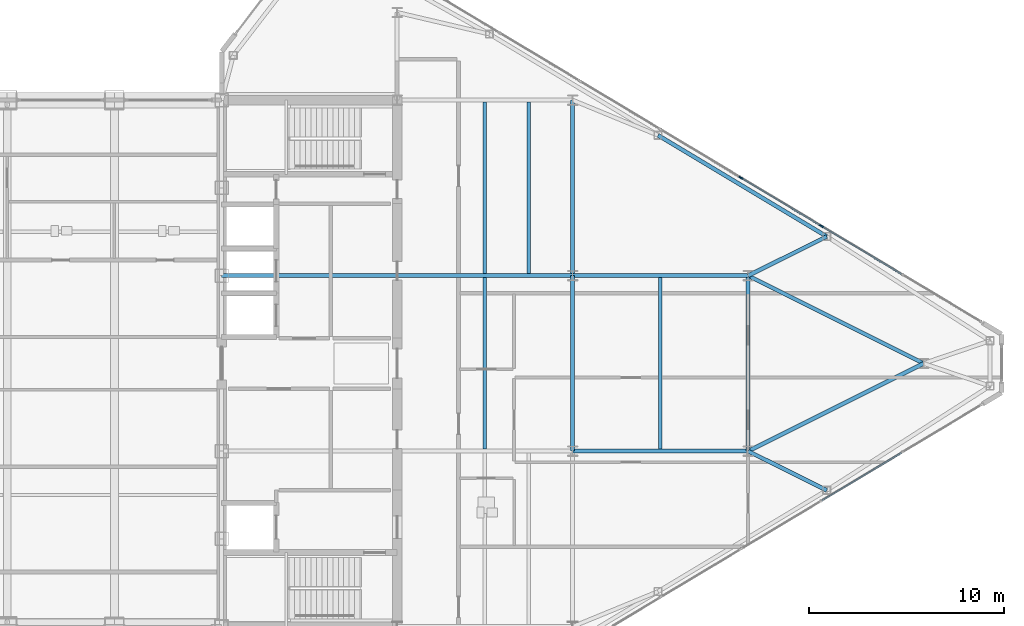
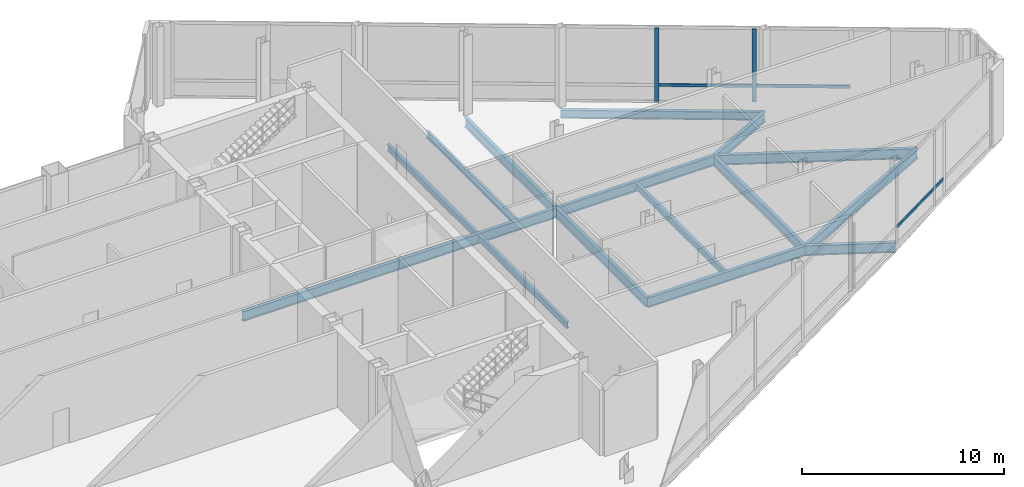
# One storey, part 15 of 30: 16 beams, 5 members, 2 elements without a shape of their own.
"""IFC4 building model written with IfcOpenShell, lengths in metres."""

from ifc_helpers import new_model, si_unit, direction, frame, origin, origin_2d, place, context, subcontext, project, spatial, rectangle, i_section, extrude, source, transform, mapped, material, layer, layer_set, material_profile, profile_set, type_object, type_shapes, element, aggregate, save


model = new_model("IFC4")

# Units and contexts
model_context = context("Model", 3, precision=1e-05, world=origin(), true_north=direction((0.0, 1.0)))
body_context = subcontext(model_context, "Body", "Model", "MODEL_VIEW")
ifc_project = project(units=[si_unit("LENGTHUNIT", "METRE"), si_unit("AREAUNIT", "SQUARE_METRE"), si_unit("VOLUMEUNIT", "CUBIC_METRE"), si_unit("PLANEANGLEUNIT", "RADIAN"), si_unit("MASSUNIT", "GRAM", prefix="KILO")], contexts=[model_context])

# Site, building, storey
site_placement = place(None, origin())
site = spatial("IfcSite", under=ifc_project, at=site_placement, CompositionType="ELEMENT")
building_placement = place(site_placement, origin())
building = spatial("IfcBuilding", under=site, at=building_placement, Name="Seokmaru Belvedere", CompositionType="ELEMENT")
storey_placement = place(building_placement, frame((0.0, 0.0, 234.60009765625)))
storey = spatial("IfcBuildingStorey", under=building, at=storey_placement, Name="L62", CompositionType="ELEMENT", Elevation=234.60009765625)

# Beams
ifc_material_1 = material(Name="Steel SM355 (355 MPa)", Category="steel")
ifc_material_profile_1 = material_profile(ifc_material_1, i_section(OverallWidth=0.199951171875, OverallDepth=0.60009765625, WebThickness=0.010986328125, FlangeThickness=0.01708984375, at=origin_2d()), Name="H-600x200x11x17")
ifc_profile_set_1 = profile_set([ifc_material_profile_1], Name="Steel SM355 (355 MPa)")
beam_type_1 = type_object("IfcBeamType", Name="Primary Floor Girder H-600", PredefinedType="BEAM", material=ifc_profile_set_1)
shared_shape_1 = source(origin(), body_context, "Body", "SweptSolid", [
    extrude(i_section(OverallWidth=0.199951171875, OverallDepth=0.60009765625, WebThickness=0.010986328125, FlangeThickness=0.01708984375, at=origin_2d()), origin(), (0.0, 0.0, 1.0), 9.0),
])
for number, where, z_axis, x_axis, name in (
    (1, (45.5, -4.5, -0.56005859375), (0.0, 1.0, 0.0), (-1.0, 0.0, 0.0), "L62 E Interior Grid Girder 2"),
    (2, (45.5, 4.5, -0.56005859375), (0.0, 1.0, 0.0), (-1.0, 0.0, 0.0), "L62 E Interior Grid Girder 3"),
    (3, (27.5, 4.5, -0.56005859375), (1.0, 0.0, 0.0), (0.0, 1.0, 0.0), "L62 E Core Tie Girder 3"),
    (4, (36.5, 4.5, -0.56005859375), (1.0, 0.0, 0.0), (0.0, 1.0, 0.0), "L62 E Wing Primary Girder 3"),
    (5, (45.5, -4.5, -0.56005859375), (1.0, 0.0, 0.0), (0.0, 1.0, 0.0), "L62 E Outer Wing Girder 1"),
    (6, (45.5, 4.5, -0.56005859375), (1.0, 0.0, 0.0), (0.0, 1.0, 0.0), "L62 E Outer Wing Girder 2"),
    (7, (54.5, -4.5, -0.56005859375), (0.0, 1.0, 0.0), (-1.0, 0.0, 0.0), "L62 E Apex Frame Girder"),
):
    element("IfcBeam", number, at=place(storey_placement, frame(where, z_axis=z_axis, x_axis=x_axis)), inside=storey, type_object=beam_type_1, Name=name, PredefinedType="BEAM", context=body_context, shape_type="MappedRepresentation", body=[
        mapped(shared_shape_1, transform((0.0, 0.0, 0.0), scale=1.0)),
    ])
shared_shape_2 = source(origin(), body_context, "Body", "SweptSolid", [
    extrude(i_section(OverallWidth=0.199951171875, OverallDepth=0.60009765625, WebThickness=0.010986328125, FlangeThickness=0.01708984375, at=origin_2d()), origin(), (0.0, 0.0, 1.0), 10.062255859375),
])
for number, where, z_axis, x_axis, name in (
    (8, (54.5, -4.5, -0.56005859375), (0.894427191, 0.4472135955, 0.0), (-0.4472135955, 0.894427191, 0.0), "L62 E Apex Converging Girder 1"),
    (9, (54.5, 4.5, -0.56005859375), (0.894427191, -0.4472135955, 0.0), (0.4472135955, 0.894427191, 0.0), "L62 E Apex Converging Girder 2"),
):
    element("IfcBeam", number, at=place(storey_placement, frame(where, z_axis=z_axis, x_axis=x_axis)), inside=storey, type_object=beam_type_1, Name=name, PredefinedType="BEAM", context=body_context, shape_type="MappedRepresentation", body=[
        mapped(shared_shape_2, transform((0.0, 0.0, 0.0), scale=1.0)),
    ])
ifc_material_profile_2 = material_profile(ifc_material_1, i_section(OverallWidth=0.18505859375, OverallDepth=0.389892578125, WebThickness=0.008056640625, FlangeThickness=0.011962890625, at=origin_2d()), Name="H-390x185x8x12")
ifc_profile_set_2 = profile_set([ifc_material_profile_2], Name="Steel SM355 (355 MPa)")
beam_type_2 = type_object("IfcBeamType", Name="Secondary Floor Joist H-350", PredefinedType="JOIST", material=ifc_profile_set_2)
shared_shape_3 = source(origin(), body_context, "Body", "SweptSolid", [
    extrude(i_section(OverallWidth=0.18505859375, OverallDepth=0.389892578125, WebThickness=0.008056640625, FlangeThickness=0.011962890625, at=origin_2d()), origin(), (0.0, 0.0, 1.0), 8.7900390625),
])
type_shapes(beam_type_2, [shared_shape_3])
for number, where, z_axis, x_axis, name in (
    (10, (43.25, 4.60498046875, -0.455078125), (0.0, 1.0, 0.0), (-1.0, 0.0, 0.0), "L62 E Wing Inner Secondary Joist 2"),
    (11, (41.0, -4.39501953125, -0.455078125), (0.0, 1.0, 0.0), (-1.0, 0.0, 0.0), "L62 E Secondary Floor Joist 2"),
    (12, (41.0, 4.60498046875, -0.455078125), (0.0, 1.0, 0.0), (-1.0, 0.0, 0.0), "L62 E Secondary Floor Joist 3"),
    (13, (50.0, -4.39501953125, -0.455078125), (0.0, 1.0, 0.0), (-1.0, 0.0, 0.0), "L62 E Outer Bay Secondary Joist"),
):
    element("IfcBeam", number, at=place(storey_placement, frame(where, z_axis=z_axis, x_axis=x_axis)), inside=storey, type_object=beam_type_2, Name=name, PredefinedType="JOIST", context=body_context, shape_type="MappedRepresentation", body=[
        mapped(shared_shape_3, transform((0.0, 0.0, 0.0), scale=1.0)),
    ])
ifc_material_profile_3 = material_profile(ifc_material_1, i_section(OverallWidth=0.199951171875, OverallDepth=0.5, WebThickness=0.010009765625, FlangeThickness=0.01611328125, at=origin_2d()), Name="H-500x200x10x16")
ifc_profile_set_3 = profile_set([ifc_material_profile_3], Name="Steel SM355 (355 MPa)")
beam_type_3 = type_object("IfcBeamType", Name="Perimeter Spandrel Beam H-500", PredefinedType="SPANDREL", material=ifc_profile_set_3)
shared_shape_4 = source(origin(), body_context, "Body", "SweptSolid", [
    extrude(i_section(OverallWidth=0.199951171875, OverallDepth=0.5, WebThickness=0.010009765625, FlangeThickness=0.01611328125, at=origin_2d()), origin(), (0.0, 0.0, 1.0), 10.087646484375),
])
type_shapes(beam_type_3, [shared_shape_4])
beam_placement = place(storey_placement, frame((49.8798828125, 11.698974609375, -0.510009765625), z_axis=(0.857488654804, -0.514502873542, 0.0), x_axis=(0.514502873542, 0.857488654804, 0.0)))
element("IfcBeam", 14, at=beam_placement, inside=storey, type_object=beam_type_3, Name="L62 E Faceted Flank Spandrel N-3", PredefinedType="SPANDREL", context=body_context, shape_type="MappedRepresentation", body=[
    mapped(shared_shape_4, transform((0.0, 0.0, 0.0), scale=1.0)),
])
shared_shape_5 = source(origin(), body_context, "Body", "SweptSolid", [
    extrude(i_section(OverallWidth=0.199951171875, OverallDepth=0.60009765625, WebThickness=0.010986328125, FlangeThickness=0.01708984375, at=origin_2d()), origin(), (0.0, 0.0, 1.0), 4.5029296875),
])
type_shapes(beam_type_1, [shared_shape_1, shared_shape_2, shared_shape_5])
for number, where, z_axis, x_axis, name in (
    (15, (58.530029296875, -6.5087890625, -0.56005859375), (-0.894979532585, 0.446107202648, 0.0), (-0.446107202648, -0.894979532585, 0.0), "L62 E Flank Radial Floor Girder S-3"),
    (16, (58.530029296875, 6.5087890625, -0.56005859375), (-0.894979532585, -0.446107202648, 0.0), (0.446107202648, -0.894979532585, 0.0), "L62 E Flank Radial Floor Girder N-3"),
):
    element("IfcBeam", number, at=place(storey_placement, frame(where, z_axis=z_axis, x_axis=x_axis)), inside=storey, type_object=beam_type_1, Name=name, PredefinedType="BEAM", context=body_context, shape_type="MappedRepresentation", body=[
        mapped(shared_shape_5, transform((0.0, 0.0, 0.0), scale=1.0)),
    ])

# Curtain wall, member
ifc_material_2 = material(Name="Bronze Triple Insulating Glass", Category="glass")
ifc_layer = layer(ifc_material_2, 0.219970703125)
ifc_layer_set = layer_set([ifc_layer], Name="Bronze Triple Insulating Glass")
curtain_wall_type = type_object("IfcCurtainWallType", Name="Sky-Gate Bridge Panorama Curtain Wall System CW-6", PredefinedType="NOTDEFINED", material=ifc_layer_set)
curtain_wall_1_placement = place(storey_placement, origin())
curtain_wall_1 = element("IfcCurtainWall", 17, at=curtain_wall_1_placement, inside=storey, type_object=curtain_wall_type, Name="L62 Curtain Wall EF1", PredefinedType="NOTDEFINED")
ifc_material_3 = material(Name="Anodised Bronze Aluminium", Category="aluminium")
ifc_material_profile_4 = material_profile(ifc_material_3, rectangle(XDim=0.074951171875, YDim=0.179931640625, at=origin_2d()), Name="CW-T-75x180")
ifc_profile_set_4 = profile_set([ifc_material_profile_4], Name="Anodised Bronze Aluminium")
member_type_1 = type_object("IfcMemberType", Name="Bronze Unitised Transom 75x180", PredefinedType="USERDEFINED", material=ifc_profile_set_4)
shared_shape_6 = source(origin(), body_context, "Body", "SweptSolid", [
    extrude(rectangle(XDim=0.074951171875, YDim=0.179931640625, at=origin_2d()), origin(), (0.0, 0.0, 1.0), 4.734619140625),
])
member_1_placement = place(storey_placement, frame((58.291259765625, -7.025390625, 1.0498046875), z_axis=(0.857479275774, 0.514518504641, 0.0), x_axis=(-0.514518504641, 0.857479275774, 0.0)))
member_1 = element("IfcMember", 18, at=member_1_placement, type_object=member_type_1, Name="CW:L62:EF1 Spandrel Transom 7", ObjectType="TRANSOM", PredefinedType="USERDEFINED", context=body_context, shape_type="MappedRepresentation", body=[
    mapped(shared_shape_6, transform((0.0, 0.0, 0.0), scale=1.0)),
])
aggregate(curtain_wall_1, [member_1])

# Curtain wall, members
curtain_wall_2_placement = place(storey_placement, origin())
curtain_wall_2 = element("IfcCurtainWall", 19, at=curtain_wall_2_placement, inside=storey, type_object=curtain_wall_type, Name="L62 Curtain Wall EF3", PredefinedType="NOTDEFINED")
member_2_placement = place(storey_placement, frame((62.35107421875, 4.58935546875, 1.0498046875), z_axis=(-0.857479275774, 0.514518504641, 0.0), x_axis=(-0.514518504641, -0.857479275774, 0.0)))
member_2 = element("IfcMember", 20, at=member_2_placement, type_object=member_type_1, Name="CW:L62:EF3 Spandrel Transom 2", ObjectType="TRANSOM", PredefinedType="USERDEFINED", context=body_context, shape_type="MappedRepresentation", body=[
    mapped(shared_shape_6, transform((0.0, 0.0, 0.0), scale=1.0)),
])
shared_shape_7 = source(origin(), body_context, "Body", "SweptSolid", [
    extrude(rectangle(XDim=0.074951171875, YDim=0.179931640625, at=origin_2d()), origin(), (0.0, 0.0, 1.0), 4.734375),
])
type_shapes(member_type_1, [shared_shape_6, shared_shape_7])
member_3_placement = place(storey_placement, frame((58.22265625, 7.06640625, 1.0498046875), z_axis=(-0.857502025578, 0.514480588682, 0.0), x_axis=(-0.514480588682, -0.857502025578, 0.0)))
member_3 = element("IfcMember", 21, at=member_3_placement, type_object=member_type_1, Name="CW:L62:EF3 Spandrel Transom 3", ObjectType="TRANSOM", PredefinedType="USERDEFINED", context=body_context, shape_type="MappedRepresentation", body=[
    mapped(shared_shape_7, transform((0.0, 0.0, 0.0), scale=1.0)),
])
ifc_material_profile_5 = material_profile(ifc_material_3, rectangle(XDim=0.080078125, YDim=0.219970703125, at=origin_2d()), Name="CW-M-80x220")
ifc_profile_set_5 = profile_set([ifc_material_profile_5], Name="Anodised Bronze Aluminium")
member_type_2 = type_object("IfcMemberType", Name="Bronze Unitised Mullion 80x220", PredefinedType="MULLION", material=ifc_profile_set_5)
shared_shape_8 = source(origin(), body_context, "Body", "SweptSolid", [
    extrude(rectangle(XDim=0.080078125, YDim=0.219970703125, at=origin_2d()), origin(), (0.0, 0.0, 1.0), 4.429931640625),
])
type_shapes(member_type_2, [shared_shape_8])
member_4_placement = place(storey_placement, frame((58.257080078125, 7.0458984375, 0.074951171875), z_axis=(0.0, 0.0, 1.0), x_axis=(-0.514494909364, -0.85749343335, 0.0)))
member_4 = element("IfcMember", 22, at=member_4_placement, type_object=member_type_2, Name="CW:L62:EF3 Mullion 3", PredefinedType="MULLION", context=body_context, shape_type="MappedRepresentation", body=[
    mapped(shared_shape_8, transform((0.0, 0.0, 0.0), scale=1.0)),
])
member_5_placement = place(storey_placement, frame((54.12841796875, 9.52294921875, 0.074951171875), z_axis=(0.0, 0.0, 1.0), x_axis=(-0.514494909364, -0.85749343335, 0.0)))
member_5 = element("IfcMember", 23, at=member_5_placement, type_object=member_type_2, Name="CW:L62:EF3 Mullion 4", PredefinedType="MULLION", context=body_context, shape_type="MappedRepresentation", body=[
    mapped(shared_shape_8, transform((0.0, 0.0, 0.0), scale=1.0)),
])
aggregate(curtain_wall_2, [member_4, member_5, member_2, member_3])

save(model, "model.ifc")
